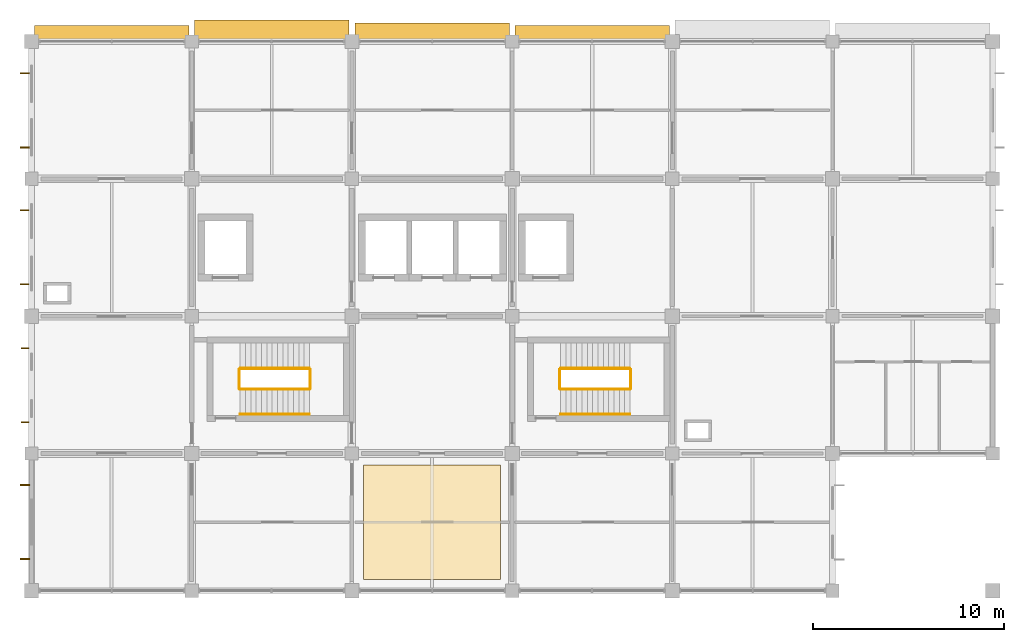
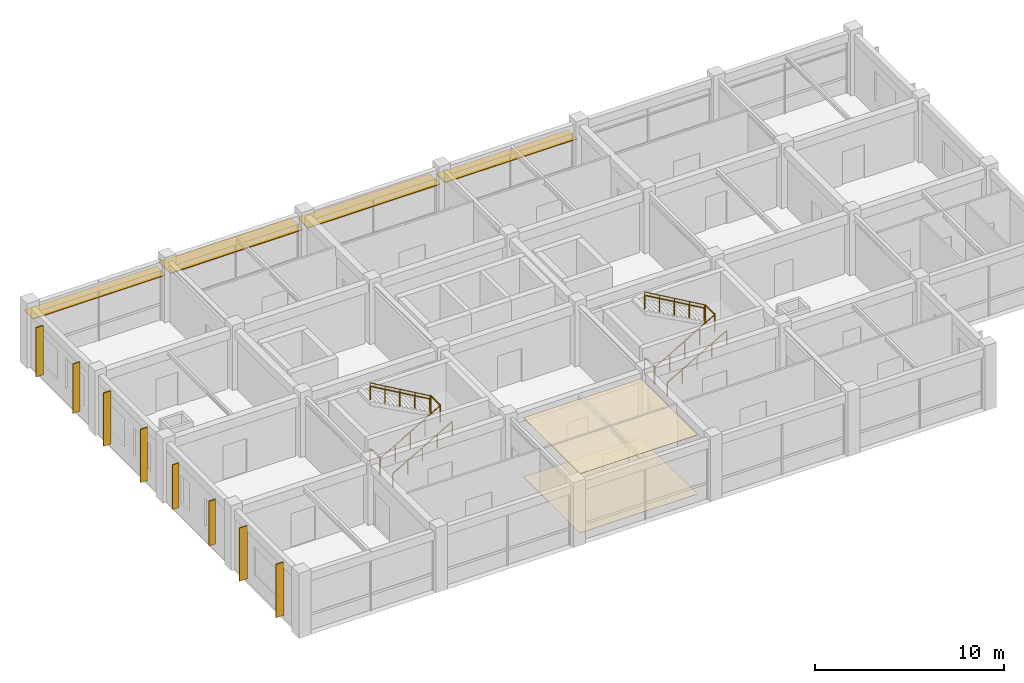
# One storey, part 12 of 13: 12 railings, 12 shading devices, 2 coverings.
"""IFC4 building model written with IfcOpenShell, lengths in metres."""

from ifc_helpers import new_model, si_unit, derived_unit, direction, frame, origin, origin_2d, place, context, subcontext, project, spatial, polyline, rectangle, circle, outline, extrude, material, layer, layer_set, type_object, element, save


model = new_model("IFC4")

# Units and contexts
model_context = context("Model", 3, precision=1e-05, world=origin(), true_north=direction((0.0, 1.0)))
body_context = subcontext(model_context, "Body", "Model", "MODEL_VIEW")
ifc_project = project(units=[si_unit("LENGTHUNIT", "METRE"), si_unit("AREAUNIT", "SQUARE_METRE"), si_unit("VOLUMEUNIT", "CUBIC_METRE"), si_unit("PLANEANGLEUNIT", "RADIAN"), si_unit("MASSUNIT", "GRAM", prefix="KILO"), derived_unit("THERMALTRANSMITTANCEUNIT", [(si_unit("MASSUNIT", "GRAM", prefix="KILO"), 1), (si_unit("TIMEUNIT", "SECOND"), -3), (si_unit("THERMODYNAMICTEMPERATUREUNIT", "KELVIN"), -1)])], contexts=[model_context])

# Site, building, storey
site_placement = place(None, origin())
site = spatial("IfcSite", under=ifc_project, at=site_placement, CompositionType="ELEMENT")
building_placement = place(site_placement, origin())
building = spatial("IfcBuilding", under=site, at=building_placement, Name="Veldstrom Oceanarium and Marine Research Institute", CompositionType="ELEMENT")
storey_placement = place(building_placement, frame((0.0, 0.0, 39.60009765625)))
storey = spatial("IfcBuildingStorey", under=building, at=storey_placement, Name="L08", CompositionType="ELEMENT", Elevation=39.60009765625)

# Coverings
ifc_material_1 = material(Name="Mineral-Fibre Acoustic Ceiling Tile", Category="gypsum")
ifc_layer_1 = layer(ifc_material_1, 0.02490234375)
ifc_layer_set_1 = layer_set([ifc_layer_1], Name="ARC-COV-CL1")
covering_type_1 = type_object("IfcCoveringType", Name="ARC-COV-CL1", PredefinedType="CEILING", material=ifc_layer_set_1)
covering_1_placement = place(storey_placement, frame((0.0, 0.0, 3.824951171875)))
element("IfcCovering", 1, at=covering_1_placement, inside=storey, type_object=covering_type_1, Name="Suspended Acoustic Ceiling L08", PredefinedType="CEILING", context=body_context, shape_type="SweptSolid", body=[
    extrude(outline(polyline([(84.60009765625, 43.800048828125), (91.800048828125, 43.800048828125), (91.800048828125, 49.800048828125), (84.60009765625, 49.800048828125), (84.60009765625, 43.800048828125)])), origin(), (0.0, 0.0, 1.0), 0.02490234375),
])
ifc_material_2 = material(Name="Polished Terrazzo and Marine Epoxy Flooring", Category="concrete")
ifc_layer_2 = layer(ifc_material_2, 0.02001953125)
ifc_layer_set_2 = layer_set([ifc_layer_2], Name="ARC-COV-FL1")
covering_type_2 = type_object("IfcCoveringType", Name="ARC-COV-FL1", PredefinedType="FLOORING", material=ifc_layer_set_2)
covering_2_placement = place(storey_placement, origin())
element("IfcCovering", 2, at=covering_2_placement, inside=storey, type_object=covering_type_2, Name="Terrazzo and Marine Epoxy Floor Finish L08", PredefinedType="FLOORING", context=body_context, shape_type="SweptSolid", body=[
    extrude(outline(polyline([(84.60009765625, 43.800048828125), (91.800048828125, 43.800048828125), (91.800048828125, 49.800048828125), (84.60009765625, 49.800048828125), (84.60009765625, 43.800048828125)])), origin(), (0.0, 0.0, 1.0), 0.02001953125),
])

# Railings
ifc_material_3 = material(Name="Duplex Stainless Steel Balustrade", Category="steel")
ifc_layer_3 = layer(ifc_material_3, 0.06005859375)
ifc_layer_set_3 = layer_set([ifc_layer_3], Name="ARC-RLG-GR1")
railing_type_1 = type_object("IfcRailingType", Name="ARC-RLG-GR1", PredefinedType="GUARDRAIL", material=ifc_layer_set_3)
railing_1_placement = place(storey_placement, frame((78.10009765625, 53.800048828125, 0.0)))
element("IfcRailing", 3, at=railing_1_placement, inside=storey, type_object=railing_type_1, Name="Stair Well Landing Guard ST1 L08", PredefinedType="GUARDRAIL", context=body_context, shape_type="SweptSolid", body=[
    extrude(circle(Radius=0.02392578125, at=origin_2d()), frame((0.0, 0.0, 1.09619140625), z_axis=(0.0, 1.0, 0.0), x_axis=(-1.0, 0.0, 0.0)), (0.0, 0.0, 1.0), 1.0),
    extrude(circle(Radius=0.02099609375, at=origin_2d()), origin(), (0.0, 0.0, 1.0), 1.072021484375),
    extrude(circle(Radius=0.02099609375, at=origin_2d()), frame((0.0, 1.0, 0.0)), (0.0, 0.0, 1.0), 1.072021484375),
])
railing_2_placement = place(storey_placement, frame((78.139892578125, 53.760009765625, 0.0)))
element("IfcRailing", 4, at=railing_2_placement, inside=storey, type_object=railing_type_1, Name="Stair Flight Guardrail ST1-L08-1", PredefinedType="GUARDRAIL", context=body_context, shape_type="SweptSolid", body=[
    extrude(circle(Radius=0.02392578125, at=origin_2d()), frame((0.0, 0.0, 1.09619140625), z_axis=(0.866208797654, 0.0, 0.499682217882), x_axis=(0.0, 1.0, 0.0)), (0.0, 0.0, 1.0), 4.202392578125),
    extrude(circle(Radius=0.02099609375, at=origin_2d()), origin(), (0.0, 0.0, 1.0), 1.072021484375),
    extrude(circle(Radius=0.02099609375, at=origin_2d()), frame((0.91015625, 0.0, 0.52490234375)), (0.0, 0.0, 1.0), 1.072021484375),
    extrude(circle(Radius=0.02099609375, at=origin_2d()), frame((1.820068359375, 0.0, 1.0498046875)), (0.0, 0.0, 1.0), 1.072021484375),
    extrude(circle(Radius=0.02099609375, at=origin_2d()), frame((2.72998046875, 0.0, 1.574951171875)), (0.0, 0.0, 1.0), 1.072021484375),
    extrude(circle(Radius=0.02099609375, at=origin_2d()), frame((3.64013671875, 0.0, 2.099853515625)), (0.0, 0.0, 1.0), 1.072021484375),
])
railing_3_placement = place(storey_placement, frame((81.820068359375, 53.800048828125, 2.099853515625)))
element("IfcRailing", 5, at=railing_3_placement, inside=storey, type_object=railing_type_1, Name="Stair Half-Landing Guardrail ST1-L08", PredefinedType="GUARDRAIL", context=body_context, shape_type="SweptSolid", body=[
    extrude(circle(Radius=0.02392578125, at=origin_2d()), frame((0.0, 0.0, 1.09619140625), z_axis=(0.0, 1.0, 0.0), x_axis=(-1.0, 0.0, 0.0)), (0.0, 0.0, 1.0), 1.0),
    extrude(circle(Radius=0.02099609375, at=origin_2d()), origin(), (0.0, 0.0, 1.0), 1.072021484375),
    extrude(circle(Radius=0.02099609375, at=origin_2d()), frame((0.0, 1.0, 0.0)), (0.0, 0.0, 1.0), 1.072021484375),
])
railing_4_placement = place(storey_placement, frame((81.780029296875, 54.840087890625, 2.099853515625)))
element("IfcRailing", 6, at=railing_4_placement, inside=storey, type_object=railing_type_1, Name="Stair Flight Guardrail ST1-L08-2", PredefinedType="GUARDRAIL", context=body_context, shape_type="SweptSolid", body=[
    extrude(circle(Radius=0.02392578125, at=origin_2d()), frame((0.0, 0.0, 1.09619140625), z_axis=(-0.86618365172, 0.0, 0.499725806311), x_axis=(0.0, -1.0, 0.0)), (0.0, 0.0, 1.0), 4.202392578125),
    extrude(circle(Radius=0.02099609375, at=origin_2d()), origin(), (0.0, 0.0, 1.0), 1.072021484375),
    extrude(circle(Radius=0.02099609375, at=origin_2d()), frame((-0.91015625, 0.0, 0.52490234375)), (0.0, 0.0, 1.0), 1.072021484375),
    extrude(circle(Radius=0.02099609375, at=origin_2d()), frame((-1.820068359375, 0.0, 1.050048828125)), (0.0, 0.0, 1.0), 1.072021484375),
    extrude(circle(Radius=0.02099609375, at=origin_2d()), frame((-2.72998046875, 0.0, 1.5751953125)), (0.0, 0.0, 1.0), 1.072021484375),
    extrude(circle(Radius=0.02099609375, at=origin_2d()), frame((-3.64013671875, 0.0, 2.10009765625)), (0.0, 0.0, 1.0), 1.072021484375),
])
railing_5_placement = place(storey_placement, frame((94.89990234375, 53.800048828125, 0.0)))
element("IfcRailing", 7, at=railing_5_placement, inside=storey, type_object=railing_type_1, Name="Stair Well Landing Guard ST2 L08", PredefinedType="GUARDRAIL", context=body_context, shape_type="SweptSolid", body=[
    extrude(circle(Radius=0.02392578125, at=origin_2d()), frame((0.0, 0.0, 1.09619140625), z_axis=(0.0, 1.0, 0.0), x_axis=(-1.0, 0.0, 0.0)), (0.0, 0.0, 1.0), 1.0),
    extrude(circle(Radius=0.02099609375, at=origin_2d()), origin(), (0.0, 0.0, 1.0), 1.072021484375),
    extrude(circle(Radius=0.02099609375, at=origin_2d()), frame((0.0, 1.0, 0.0)), (0.0, 0.0, 1.0), 1.072021484375),
])
railing_6_placement = place(storey_placement, frame((94.93994140625, 53.760009765625, 0.0)))
element("IfcRailing", 8, at=railing_6_placement, inside=storey, type_object=railing_type_1, Name="Stair Flight Guardrail ST2-L08-1", PredefinedType="GUARDRAIL", context=body_context, shape_type="SweptSolid", body=[
    extrude(circle(Radius=0.02392578125, at=origin_2d()), frame((0.0, 0.0, 1.09619140625), z_axis=(0.866208797654, 0.0, 0.499682217882), x_axis=(0.0, 1.0, 0.0)), (0.0, 0.0, 1.0), 4.202392578125),
    extrude(circle(Radius=0.02099609375, at=origin_2d()), origin(), (0.0, 0.0, 1.0), 1.072021484375),
    extrude(circle(Radius=0.02099609375, at=origin_2d()), frame((0.91015625, 0.0, 0.52490234375)), (0.0, 0.0, 1.0), 1.072021484375),
    extrude(circle(Radius=0.02099609375, at=origin_2d()), frame((1.820068359375, 0.0, 1.0498046875)), (0.0, 0.0, 1.0), 1.072021484375),
    extrude(circle(Radius=0.02099609375, at=origin_2d()), frame((2.72998046875, 0.0, 1.574951171875)), (0.0, 0.0, 1.0), 1.072021484375),
    extrude(circle(Radius=0.02099609375, at=origin_2d()), frame((3.64013671875, 0.0, 2.099853515625)), (0.0, 0.0, 1.0), 1.072021484375),
])
railing_7_placement = place(storey_placement, frame((98.6201171875, 53.800048828125, 2.099853515625)))
element("IfcRailing", 9, at=railing_7_placement, inside=storey, type_object=railing_type_1, Name="Stair Half-Landing Guardrail ST2-L08", PredefinedType="GUARDRAIL", context=body_context, shape_type="SweptSolid", body=[
    extrude(circle(Radius=0.02392578125, at=origin_2d()), frame((0.0, 0.0, 1.09619140625), z_axis=(0.0, 1.0, 0.0), x_axis=(-1.0, 0.0, 0.0)), (0.0, 0.0, 1.0), 1.0),
    extrude(circle(Radius=0.02099609375, at=origin_2d()), origin(), (0.0, 0.0, 1.0), 1.072021484375),
    extrude(circle(Radius=0.02099609375, at=origin_2d()), frame((0.0, 1.0, 0.0)), (0.0, 0.0, 1.0), 1.072021484375),
])
railing_8_placement = place(storey_placement, frame((98.580078125, 54.840087890625, 2.099853515625)))
element("IfcRailing", 10, at=railing_8_placement, inside=storey, type_object=railing_type_1, Name="Stair Flight Guardrail ST2-L08-2", PredefinedType="GUARDRAIL", context=body_context, shape_type="SweptSolid", body=[
    extrude(circle(Radius=0.02392578125, at=origin_2d()), frame((0.0, 0.0, 1.09619140625), z_axis=(-0.86618365172, 0.0, 0.499725806311), x_axis=(0.0, -1.0, 0.0)), (0.0, 0.0, 1.0), 4.202392578125),
    extrude(circle(Radius=0.02099609375, at=origin_2d()), origin(), (0.0, 0.0, 1.0), 1.072021484375),
    extrude(circle(Radius=0.02099609375, at=origin_2d()), frame((-0.91015625, 0.0, 0.52490234375)), (0.0, 0.0, 1.0), 1.072021484375),
    extrude(circle(Radius=0.02099609375, at=origin_2d()), frame((-1.820068359375, 0.0, 1.050048828125)), (0.0, 0.0, 1.0), 1.072021484375),
    extrude(circle(Radius=0.02099609375, at=origin_2d()), frame((-2.72998046875, 0.0, 1.5751953125)), (0.0, 0.0, 1.0), 1.072021484375),
    extrude(circle(Radius=0.02099609375, at=origin_2d()), frame((-3.64013671875, 0.0, 2.10009765625)), (0.0, 0.0, 1.0), 1.072021484375),
])
ifc_material_4 = material(Name="Brushed Stainless Steel Handrail", Category="steel")
ifc_layer_4 = layer(ifc_material_4, 0.050048828125)
ifc_layer_set_4 = layer_set([ifc_layer_4], Name="ARC-RLG-HR1")
railing_type_2 = type_object("IfcRailingType", Name="ARC-RLG-HR1", PredefinedType="HANDRAIL", material=ifc_layer_set_4)
railing_9_placement = place(storey_placement, frame((78.139892578125, 52.4599609375, 0.0)))
element("IfcRailing", 11, at=railing_9_placement, inside=storey, type_object=railing_type_2, Name="Stair Wall Handrail ST1-L08-1", PredefinedType="HANDRAIL", context=body_context, shape_type="SweptSolid", body=[
    extrude(circle(Radius=0.02392578125, at=origin_2d()), frame((0.0, 0.0, 0.8759765625), z_axis=(0.866208797654, 0.0, 0.499682217882), x_axis=(0.0, 1.0, 0.0)), (0.0, 0.0, 1.0), 4.202392578125),
    extrude(circle(Radius=0.02099609375, at=origin_2d()), origin(), (0.0, 0.0, 1.0), 0.851806640625),
    extrude(circle(Radius=0.02099609375, at=origin_2d()), frame((0.91015625, 0.0, 0.52490234375)), (0.0, 0.0, 1.0), 0.851806640625),
    extrude(circle(Radius=0.02099609375, at=origin_2d()), frame((1.820068359375, 0.0, 1.0498046875)), (0.0, 0.0, 1.0), 0.851806640625),
    extrude(circle(Radius=0.02099609375, at=origin_2d()), frame((2.72998046875, 0.0, 1.574951171875)), (0.0, 0.0, 1.0), 0.851806640625),
    extrude(circle(Radius=0.02099609375, at=origin_2d()), frame((3.64013671875, 0.0, 2.099853515625)), (0.0, 0.0, 1.0), 0.851806640625),
])
railing_10_placement = place(storey_placement, frame((81.780029296875, 54.860107421875, 2.099853515625)))
element("IfcRailing", 12, at=railing_10_placement, inside=storey, type_object=railing_type_2, Name="Stair Wall Handrail ST1-L08-2", PredefinedType="HANDRAIL", context=body_context, shape_type="SweptSolid", body=[
    extrude(circle(Radius=0.02392578125, at=origin_2d()), frame((0.0, 0.0, 0.8759765625), z_axis=(-0.86618365172, 0.0, 0.499725806311), x_axis=(0.0, -1.0, 0.0)), (0.0, 0.0, 1.0), 4.202392578125),
    extrude(circle(Radius=0.02099609375, at=origin_2d()), origin(), (0.0, 0.0, 1.0), 0.851806640625),
    extrude(circle(Radius=0.02099609375, at=origin_2d()), frame((-0.91015625, 0.0, 0.52490234375)), (0.0, 0.0, 1.0), 0.851806640625),
    extrude(circle(Radius=0.02099609375, at=origin_2d()), frame((-1.820068359375, 0.0, 1.050048828125)), (0.0, 0.0, 1.0), 0.851806640625),
    extrude(circle(Radius=0.02099609375, at=origin_2d()), frame((-2.72998046875, 0.0, 1.5751953125)), (0.0, 0.0, 1.0), 0.851806640625),
    extrude(circle(Radius=0.02099609375, at=origin_2d()), frame((-3.64013671875, 0.0, 2.10009765625)), (0.0, 0.0, 1.0), 0.851806640625),
])
railing_11_placement = place(storey_placement, frame((94.93994140625, 52.4599609375, 0.0)))
element("IfcRailing", 13, at=railing_11_placement, inside=storey, type_object=railing_type_2, Name="Stair Wall Handrail ST2-L08-1", PredefinedType="HANDRAIL", context=body_context, shape_type="SweptSolid", body=[
    extrude(circle(Radius=0.02392578125, at=origin_2d()), frame((0.0, 0.0, 0.8759765625), z_axis=(0.866208797654, 0.0, 0.499682217882), x_axis=(0.0, 1.0, 0.0)), (0.0, 0.0, 1.0), 4.202392578125),
    extrude(circle(Radius=0.02099609375, at=origin_2d()), origin(), (0.0, 0.0, 1.0), 0.851806640625),
    extrude(circle(Radius=0.02099609375, at=origin_2d()), frame((0.91015625, 0.0, 0.52490234375)), (0.0, 0.0, 1.0), 0.851806640625),
    extrude(circle(Radius=0.02099609375, at=origin_2d()), frame((1.820068359375, 0.0, 1.0498046875)), (0.0, 0.0, 1.0), 0.851806640625),
    extrude(circle(Radius=0.02099609375, at=origin_2d()), frame((2.72998046875, 0.0, 1.574951171875)), (0.0, 0.0, 1.0), 0.851806640625),
    extrude(circle(Radius=0.02099609375, at=origin_2d()), frame((3.64013671875, 0.0, 2.099853515625)), (0.0, 0.0, 1.0), 0.851806640625),
])
railing_12_placement = place(storey_placement, frame((98.580078125, 54.860107421875, 2.099853515625)))
element("IfcRailing", 14, at=railing_12_placement, inside=storey, type_object=railing_type_2, Name="Stair Wall Handrail ST2-L08-2", PredefinedType="HANDRAIL", context=body_context, shape_type="SweptSolid", body=[
    extrude(circle(Radius=0.02392578125, at=origin_2d()), frame((0.0, 0.0, 0.8759765625), z_axis=(-0.86618365172, 0.0, 0.499725806311), x_axis=(0.0, -1.0, 0.0)), (0.0, 0.0, 1.0), 4.202392578125),
    extrude(circle(Radius=0.02099609375, at=origin_2d()), origin(), (0.0, 0.0, 1.0), 0.851806640625),
    extrude(circle(Radius=0.02099609375, at=origin_2d()), frame((-0.91015625, 0.0, 0.52490234375)), (0.0, 0.0, 1.0), 0.851806640625),
    extrude(circle(Radius=0.02099609375, at=origin_2d()), frame((-1.820068359375, 0.0, 1.050048828125)), (0.0, 0.0, 1.0), 0.851806640625),
    extrude(circle(Radius=0.02099609375, at=origin_2d()), frame((-2.72998046875, 0.0, 1.5751953125)), (0.0, 0.0, 1.0), 0.851806640625),
    extrude(circle(Radius=0.02099609375, at=origin_2d()), frame((-3.64013671875, 0.0, 2.10009765625)), (0.0, 0.0, 1.0), 0.851806640625),
])

# Shading devices
ifc_material_5 = material(Name="Precast Terracotta Brise-Soleil Louvre", Category="masonry")
ifc_layer_5 = layer(ifc_material_5, 3.60009765625)
ifc_layer_set_5 = layer_set([ifc_layer_5], Name="ARC-SHD-BS01")
shading_device_type_1 = type_object("IfcShadingDeviceType", Name="ARC-SHD-BS01", PredefinedType="JALOUSIE", material=ifc_layer_set_5)
for number, where, z_axis, x_axis, name in (
    (15, (66.8349609375, 59.27001953125, 0.19970703125), (0.0, 0.0, 1.0), (1.0, 0.0, 0.0), "Terracotta Brise-Soleil Louvre L08-128"),
    (16, (66.8349609375, 63.155029296875, 0.19970703125), (0.0, 0.0, 1.0), (1.0, 0.0, 0.0), "Terracotta Brise-Soleil Louvre L08-128"),
):
    element("IfcShadingDevice", number, at=place(storey_placement, frame(where, z_axis=z_axis, x_axis=x_axis)), inside=storey, type_object=shading_device_type_1, Name=name, PredefinedType="JALOUSIE", context=body_context, shape_type="SweptSolid", body=[
        extrude(rectangle(XDim=0.449951171875, YDim=0.06005859375, at=origin_2d()), origin(), (0.0, 0.0, 1.0), 3.449951171875),
    ])
ifc_material_6 = material(Name="Precast Terracotta Brise-Soleil Louvre", Category="masonry")
ifc_layer_6 = layer(ifc_material_6, 3.199951171875)
ifc_layer_set_6 = layer_set([ifc_layer_6], Name="ARC-SHD-BS02")
shading_device_type_2 = type_object("IfcShadingDeviceType", Name="ARC-SHD-BS02", PredefinedType="JALOUSIE", material=ifc_layer_set_6)
for number, where, z_axis, x_axis, name in (
    (17, (66.844970703125, 66.445068359375, 0.32470703125), (0.0, 0.0, 1.0), (1.0, 0.0, 0.0), "Terracotta Brise-Soleil Louvre L08-129"),
    (18, (66.844970703125, 70.330078125, 0.32470703125), (0.0, 0.0, 1.0), (1.0, 0.0, 0.0), "Terracotta Brise-Soleil Louvre L08-129"),
):
    element("IfcShadingDevice", number, at=place(storey_placement, frame(where, z_axis=z_axis, x_axis=x_axis)), inside=storey, type_object=shading_device_type_2, Name=name, PredefinedType="JALOUSIE", context=body_context, shape_type="SweptSolid", body=[
        extrude(rectangle(XDim=0.449951171875, YDim=0.06005859375, at=origin_2d()), origin(), (0.0, 0.0, 1.0), 3.199951171875),
    ])
ifc_material_7 = material(Name="Precast Terracotta Brise-Soleil Louvre", Category="masonry")
ifc_layer_7 = layer(ifc_material_7, 4.199951171875)
ifc_layer_set_7 = layer_set([ifc_layer_7], Name="ARC-SHD-BS03")
shading_device_type_3 = type_object("IfcShadingDeviceType", Name="ARC-SHD-BS03", PredefinedType="JALOUSIE", material=ifc_layer_set_7)
for number, where, z_axis, x_axis, name in (
    (19, (66.847412109375, 44.8701171875, 0.19970703125), (0.0, 0.0, 1.0), (1.0, 0.0, 0.0), "Terracotta Brise-Soleil Louvre L08-126"),
    (20, (66.847412109375, 48.7548828125, 0.19970703125), (0.0, 0.0, 1.0), (1.0, 0.0, 0.0), "Terracotta Brise-Soleil Louvre L08-126"),
):
    element("IfcShadingDevice", number, at=place(storey_placement, frame(where, z_axis=z_axis, x_axis=x_axis)), inside=storey, type_object=shading_device_type_3, Name=name, PredefinedType="JALOUSIE", context=body_context, shape_type="SweptSolid", body=[
        extrude(rectangle(XDim=0.5, YDim=0.06494140625, at=origin_2d()), origin(), (0.0, 0.0, 1.0), 3.449951171875),
    ])
ifc_material_8 = material(Name="Precast Terracotta Brise-Soleil Louvre", Category="masonry")
ifc_layer_8 = layer(ifc_material_8, 2.89990234375)
ifc_layer_set_8 = layer_set([ifc_layer_8], Name="ARC-SHD-BS04")
shading_device_type_4 = type_object("IfcShadingDeviceType", Name="ARC-SHD-BS04", PredefinedType="JALOUSIE", material=ifc_layer_set_8)
for number, where, z_axis, x_axis, name in (
    (21, (66.85009765625, 52.044921875, 0.474853515625), (0.0, 0.0, 1.0), (1.0, 0.0, 0.0), "Terracotta Brise-Soleil Louvre L08-127"),
    (22, (66.85009765625, 55.929931640625, 0.474853515625), (0.0, 0.0, 1.0), (1.0, 0.0, 0.0), "Terracotta Brise-Soleil Louvre L08-127"),
):
    element("IfcShadingDevice", number, at=place(storey_placement, frame(where, z_axis=z_axis, x_axis=x_axis)), inside=storey, type_object=shading_device_type_4, Name=name, PredefinedType="JALOUSIE", context=body_context, shape_type="SweptSolid", body=[
        extrude(rectangle(XDim=0.39990234375, YDim=0.054931640625, at=origin_2d()), origin(), (0.0, 0.0, 1.0), 2.89990234375),
    ])
ifc_material_9 = material(Name="Perforated Anodised Aluminium Louvre", Category="aluminium")
ifc_layer_9 = layer(ifc_material_9, 0.054931640625)
ifc_layer_set_9 = layer_set([ifc_layer_9], Name="ARC-SHD-SH01")
shading_device_type_5 = type_object("IfcShadingDeviceType", Name="ARC-SHD-SH01", PredefinedType="AWNING", material=ifc_layer_set_9)
shading_device_1_placement = place(storey_placement, frame((79.800048828125, 72.5048828125, 2.85009765625), z_axis=(0.0, 0.0, 1.0), x_axis=(1.0, 0.0, 0.0)))
element("IfcShadingDevice", 23, at=shading_device_1_placement, inside=storey, type_object=shading_device_type_5, Name="North Solar Canopy Louvre L08-10", PredefinedType="AWNING", context=body_context, shape_type="SweptSolid", body=[
    extrude(rectangle(XDim=8.10009765625, YDim=1.25, at=origin_2d()), origin(), (0.0, 0.0, 1.0), 0.054931640625),
])
ifc_material_10 = material(Name="Perforated Anodised Aluminium Louvre", Category="aluminium")
ifc_layer_10 = layer(ifc_material_10, 0.050048828125)
ifc_layer_set_10 = layer_set([ifc_layer_10], Name="ARC-SHD-SH02")
shading_device_type_6 = type_object("IfcShadingDeviceType", Name="ARC-SHD-SH02", PredefinedType="AWNING", material=ifc_layer_set_10)
shading_device_2_placement = place(storey_placement, frame((88.199951171875, 72.429931640625, 2.85009765625), z_axis=(0.0, 0.0, 1.0), x_axis=(1.0, 0.0, 0.0)))
element("IfcShadingDevice", 24, at=shading_device_2_placement, inside=storey, type_object=shading_device_type_6, Name="North Solar Canopy Louvre L08-11", PredefinedType="AWNING", context=body_context, shape_type="SweptSolid", body=[
    extrude(rectangle(XDim=8.10009765625, YDim=1.10009765625, at=origin_2d()), origin(), (0.0, 0.0, 1.0), 0.050048828125),
])
ifc_material_11 = material(Name="Perforated Anodised Aluminium Louvre", Category="aluminium")
ifc_layer_11 = layer(ifc_material_11, 0.044921875)
ifc_layer_set_11 = layer_set([ifc_layer_11], Name="ARC-SHD-SH03")
shading_device_type_7 = type_object("IfcShadingDeviceType", Name="ARC-SHD-SH03", PredefinedType="AWNING", material=ifc_layer_set_11)
for number, where, z_axis, x_axis, name in (
    (25, (71.39990234375, 72.35498046875, 2.849853515625), (0.0, 0.0, 1.0), (1.0, 0.0, 0.0), "North Solar Canopy Louvre L08-9"),
    (26, (96.60009765625, 72.35498046875, 2.849853515625), (0.0, 0.0, 1.0), (1.0, 0.0, 0.0), "North Solar Canopy Louvre L08-12"),
):
    element("IfcShadingDevice", number, at=place(storey_placement, frame(where, z_axis=z_axis, x_axis=x_axis)), inside=storey, type_object=shading_device_type_7, Name=name, PredefinedType="AWNING", context=body_context, shape_type="SweptSolid", body=[
        extrude(rectangle(XDim=8.10009765625, YDim=0.949951171875, at=origin_2d()), origin(), (0.0, 0.0, 1.0), 0.044921875),
    ])

save(model, "model.ifc")
